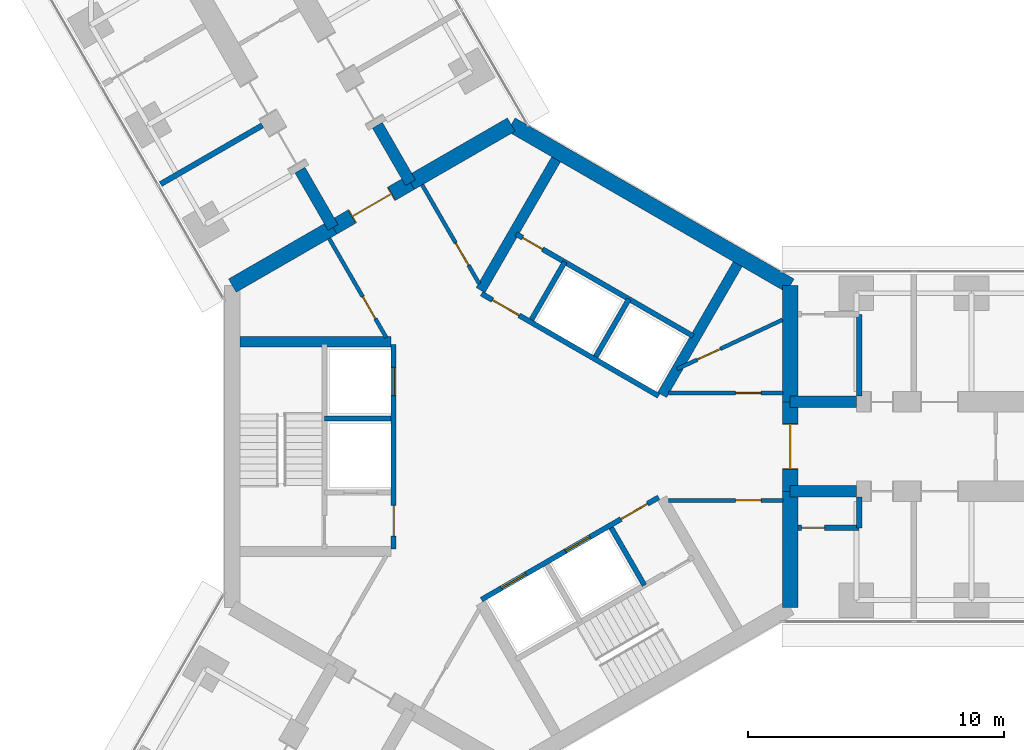
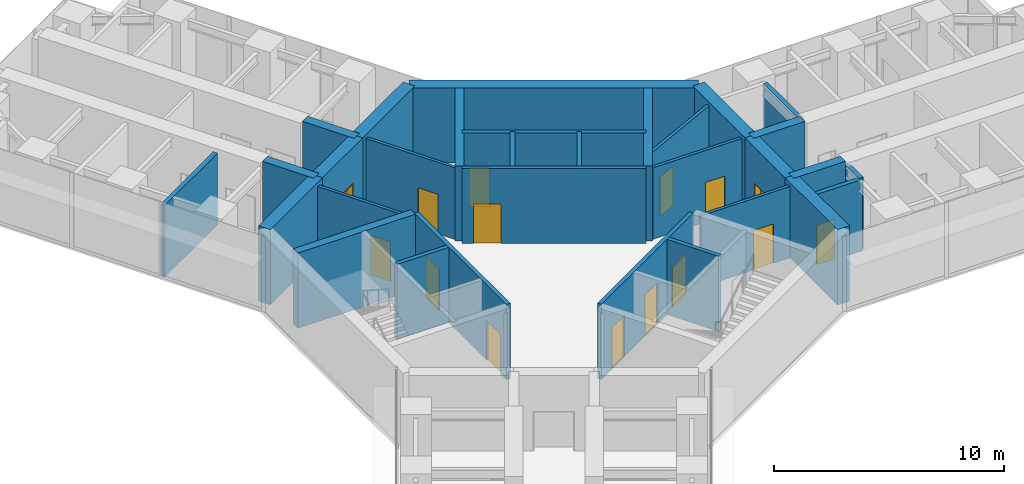
# One storey, part 16 of 21: 31 walls, 15 doors, 15 openings.
"""IFC4 building model written with IfcOpenShell, lengths in metres."""

from ifc_helpers import new_model, si_unit, direction, frame, frame_2d, origin, place, context, subcontext, project, spatial, rectangle, extrude, material, layer, layer_set, type_object, element, fill, save


model = new_model("IFC4")

# Units and contexts
model_context = context("Model", 3, precision=1e-05, world=origin(), true_north=direction((0.0, 1.0)))
body_context = subcontext(model_context, "Body", "Model", "MODEL_VIEW")
ifc_project = project(units=[si_unit("LENGTHUNIT", "METRE"), si_unit("AREAUNIT", "SQUARE_METRE"), si_unit("VOLUMEUNIT", "CUBIC_METRE"), si_unit("PLANEANGLEUNIT", "RADIAN"), si_unit("MASSUNIT", "GRAM", prefix="KILO")], contexts=[model_context])

# Site, building, storey
site_placement = place(None, origin())
site = spatial("IfcSite", under=ifc_project, at=site_placement, CompositionType="ELEMENT")
building_placement = place(site_placement, origin())
building = spatial("IfcBuilding", under=site, at=building_placement, Name="Upepo Twin Towers", CompositionType="ELEMENT")
storey_placement = place(building_placement, frame((0.0, 0.0, 113.5)))
storey = spatial("IfcBuildingStorey", under=building, at=storey_placement, Name="L27", CompositionType="ELEMENT", Elevation=113.5)

# Wall
ifc_material_1 = material(Name="Concrete blockwork, plastered both faces", Category="masonry")
ifc_layer_1 = layer(ifc_material_1, 0.215087890625)
ifc_layer_set_1 = layer_set([ifc_layer_1], Name="Blockwork partition 215")
wall_type_1 = type_object("IfcWallType", Name="Blockwork partition 215", PredefinedType="PARTITIONING", material=ifc_layer_set_1)
wall_1_placement = place(storey_placement, frame((13.60791015625, 1.97509765625, 0.0), z_axis=(0.0, 0.0, 1.0), x_axis=(0.0, 1.0, 0.0)))
element("IfcWall", 1, at=wall_1_placement, inside=storey, type_object=wall_type_1, Name="T1 WC bay partition AL end at 13.61", PredefinedType="PARTITIONING", context=body_context, shape_type="SweptSolid", body=[
    extrude(rectangle(XDim=3.199951171875, YDim=0.215087890625, at=frame_2d((1.60009765625, 0.0))), origin(), (0.0, 0.0, 1.0), 3.800048828125),
])

# Wall, opening, door
wall_2_placement = place(storey_placement, frame((11.2080078125, -3.175048828125, 0.0), z_axis=(0.0, 0.0, 1.0), x_axis=(1.0, 0.0, 0.0)))
wall_2 = element("IfcWall", 2, at=wall_2_placement, inside=storey, type_object=wall_type_1, Name="T1 WC bay partition AR at 11.21", PredefinedType="PARTITIONING", context=body_context, shape_type="SweptSolid", body=[
    extrude(rectangle(XDim=2.39990234375, YDim=0.215087890625, at=frame_2d((1.199951171875, 0.0))), origin(), (0.0, 0.0, 1.0), 3.800048828125),
])
opening_1_placement = place(wall_2_placement, frame((0.14990234375, 0.0, 0.0)))
opening_1 = element("IfcOpeningElement", 3, at=opening_1_placement, cuts=wall_2, Name="Opening D14", PredefinedType="OPENING", context=body_context, shape_type="SweptSolid", body=[
    extrude(rectangle(XDim=0.89990234375, YDim=2.10009765625, at=frame_2d((0.449951171875, 1.050048828125))), frame((0.0, 0.117431640625, 0.0), z_axis=(0.0, -1.0, 0.0), x_axis=(1.0, 0.0, 0.0)), (0.0, 0.0, 1.0), 0.235107421875),
])
ifc_material_2 = material(Name="Timber doorset", Category="wood")
door_type_1 = type_object("IfcDoorType", Name="Office door 900 FD30", OperationType="SINGLE_SWING_LEFT", PredefinedType="DOOR", material=ifc_material_2)
door_1_placement = place(opening_1_placement, origin())
door_1 = element("IfcDoor", 4, at=door_1_placement, inside=storey, type_object=door_type_1, Name="T1 L27 WC bay inner room door", OperationType="SINGLE_SWING_LEFT", OverallHeight=2.10009765625, OverallWidth=0.89990234375, PredefinedType="DOOR", context=body_context, shape_type="SweptSolid", body=[
    extrude(rectangle(XDim=0.89990234375, YDim=2.10009765625, at=frame_2d((0.449951171875, 1.050048828125))), frame((0.0, 0.02490234375, 0.0), z_axis=(0.0, -1.0, 0.0), x_axis=(1.0, 0.0, 0.0)), (0.0, 0.0, 1.0), 0.050048828125),
])
fill(opening_1, door_1)

# Walls
wall_3_placement = place(storey_placement, frame((13.60791015625, -1.97509765625, 0.0), z_axis=(0.0, 0.0, 1.0), x_axis=(0.0, -1.0, 0.0)))
element("IfcWall", 5, at=wall_3_placement, inside=storey, type_object=wall_type_1, Name="T1 WC bay partition AR end at 13.61", PredefinedType="PARTITIONING", context=body_context, shape_type="SweptSolid", body=[
    extrude(rectangle(XDim=1.199951171875, YDim=0.215087890625, at=frame_2d((0.60009765625, 0.0))), origin(), (0.0, 0.0, 1.0), 3.800048828125),
])
wall_4_placement = place(storey_placement, frame((-9.737060546875, 12.56494140625, 0.0), z_axis=(0.0, 0.0, 1.0), x_axis=(-0.866016770315, -0.500014953309, 0.0)))
element("IfcWall", 6, at=wall_4_placement, inside=storey, type_object=wall_type_1, Name="T1 partition BL at 15.75", PredefinedType="PARTITIONING", context=body_context, shape_type="SweptSolid", body=[
    extrude(rectangle(XDim=4.599853515625, YDim=0.215087890625, at=frame_2d((2.2998046875, 0.0))), origin(), (0.0, 0.0, 1.0), 3.800048828125),
])
ifc_material_3 = material(Name="Concrete C60/75", Category="concrete")
ifc_layer_2 = layer(ifc_material_3, 0.449951171875)
ifc_layer_set_2 = layer_set([ifc_layer_2], Name="Concrete C60/75")
wall_type_2 = type_object("IfcWallType", Name="Buttress wall 450 RC", PredefinedType="SHEAR", material=ifc_layer_set_2)
for number, where, z_axis, x_axis, name in (
    (7, (10.908447265625, 1.75, 0.0), (0.0, 0.0, 1.0), (1.0, 0.0, 0.0), "T1 wing A buttress wall L"),
    (8, (10.908447265625, -1.75, 0.0), (0.0, 0.0, 1.0), (1.0, 0.0, 0.0), "T1 wing A buttress wall R"),
):
    element("IfcWall", number, at=place(storey_placement, frame(where, z_axis=z_axis, x_axis=x_axis)), inside=storey, type_object=wall_type_2, Name=name, PredefinedType="SHEAR", context=body_context, shape_type="SweptSolid", body=[
        extrude(rectangle(XDim=2.591552734375, YDim=0.449951171875, at=frame_2d((1.2958984375, 0.0))), origin(), (0.0, 0.0, 1.0), 4.0),
    ])
for number, where, z_axis, x_axis, name in (
    (9, (-6.9697265625, 8.57177734375, 0.0), (0.0, 0.0, 1.0), (-0.499988811324, 0.866031863473, 0.0), "T1 wing B buttress wall L"),
    (10, (-3.938720703125, 10.32177734375, 0.0), (0.0, 0.0, 1.0), (-0.499918158782, 0.866072649678, 0.0), "T1 wing B buttress wall R"),
):
    element("IfcWall", number, at=place(storey_placement, frame(where, z_axis=z_axis, x_axis=x_axis)), inside=storey, type_object=wall_type_2, Name=name, PredefinedType="SHEAR", context=body_context, shape_type="SweptSolid", body=[
        extrude(rectangle(XDim=2.591796875, YDim=0.449951171875, at=frame_2d((1.2958984375, 0.0))), origin(), (0.0, 0.0, 1.0), 4.0),
    ])
ifc_material_4 = material(Name="Concrete C60/75", Category="concrete")
ifc_layer_3 = layer(ifc_material_4, 0.60009765625)
ifc_layer_set_3 = layer_set([ifc_layer_3], Name="Concrete C60/75")
wall_type_3 = type_object("IfcWallType", Name="Core wall 600 RC", PredefinedType="SHEAR", material=ifc_layer_set_3)
wall_5_placement = place(storey_placement, frame((10.908447265625, -6.2978515625, 0.0), z_axis=(0.0, 0.0, 1.0), x_axis=(0.0, 1.0, 0.0)))
element("IfcWall", 11, at=wall_5_placement, inside=storey, type_object=wall_type_3, Name="T1 core wall 000 R", PredefinedType="SHEAR", context=body_context, shape_type="SweptSolid", body=[
    extrude(rectangle(XDim=4.5478515625, YDim=0.60009765625, at=frame_2d((2.27392578125, 0.0))), origin(), (0.0, 0.0, 1.0), 4.0),
])

# Wall, opening, door
wall_6_placement = place(storey_placement, frame((10.908447265625, -1.75, 0.0), z_axis=(0.0, 0.0, 1.0), x_axis=(0.0, 1.0, 0.0)))
wall_6 = element("IfcWall", 12, at=wall_6_placement, inside=storey, type_object=wall_type_3, Name="T1 core wall 000", PredefinedType="SHEAR", context=body_context, shape_type="SweptSolid", body=[
    extrude(rectangle(XDim=3.5, YDim=0.60009765625, at=frame_2d((1.75, 0.0))), origin(), (0.0, 0.0, 1.0), 4.0),
])
opening_2_placement = place(wall_6_placement, frame((0.85009765625, 0.0, 0.0)))
opening_2 = element("IfcOpeningElement", 13, at=opening_2_placement, cuts=wall_6, Name="Opening D2", PredefinedType="OPENING", context=body_context, shape_type="SweptSolid", body=[
    extrude(rectangle(XDim=1.800048828125, YDim=2.10009765625, at=frame_2d((0.89990234375, 1.050048828125))), frame((0.0, 0.31005859375, 0.0), z_axis=(0.0, -1.0, 0.0), x_axis=(1.0, 0.0, 0.0)), (0.0, 0.0, 1.0), 0.6201171875),
])
ifc_material_5 = material(Name="Timber doorset", Category="wood")
door_type_2 = type_object("IfcDoorType", Name="Corridor double door 1800 FD60", OperationType="DOUBLE_DOOR_DOUBLE_SWING", PredefinedType="DOOR", material=ifc_material_5)
door_2_placement = place(opening_2_placement, origin())
door_2 = element("IfcDoor", 14, at=door_2_placement, inside=storey, type_object=door_type_2, Name="T1 L27 wing A corridor door", OperationType="DOUBLE_DOOR_DOUBLE_SWING", OverallHeight=2.10009765625, OverallWidth=1.800048828125, PredefinedType="DOOR", context=body_context, shape_type="SweptSolid", body=[
    extrude(rectangle(XDim=1.720048828125, YDim=2.06009765625, at=frame_2d((0.89990234375, 1.030029296875))), frame((0.0, 0.02490234375, 0.0), z_axis=(0.0, -1.0, 0.0), x_axis=(1.0, 0.0, 0.0)), (0.0, 0.0, 1.0), 0.050048828125),
    extrude(rectangle(XDim=0.04, YDim=2.10009765625, at=frame_2d((0.02001953125, 1.050048828125))), frame((0.0, 0.2998046875, 0.0), z_axis=(0.0, -1.0, 0.0), x_axis=(1.0, 0.0, 0.0)), (0.0, 0.0, 1.0), 0.599609375),
    extrude(rectangle(XDim=0.04, YDim=2.10009765625, at=frame_2d((1.780029296875, 1.050048828125))), frame((0.0, 0.2998046875, 0.0), z_axis=(0.0, -1.0, 0.0), x_axis=(1.0, 0.0, 0.0)), (0.0, 0.0, 1.0), 0.599609375),
    extrude(rectangle(XDim=1.720048828125, YDim=0.04, at=frame_2d((0.89990234375, 2.080078125))), frame((0.0, 0.2998046875, 0.0), z_axis=(0.0, -1.0, 0.0), x_axis=(1.0, 0.0, 0.0)), (0.0, 0.0, 1.0), 0.599609375),
])
fill(opening_2, door_2)

# Walls
wall_7_placement = place(storey_placement, frame((10.908447265625, 1.75, 0.0), z_axis=(0.0, 0.0, 1.0), x_axis=(0.0, 1.0, 0.0)))
element("IfcWall", 15, at=wall_7_placement, inside=storey, type_object=wall_type_3, Name="T1 core wall 000 L", PredefinedType="SHEAR", context=body_context, shape_type="SweptSolid", body=[
    extrude(rectangle(XDim=4.5478515625, YDim=0.60009765625, at=frame_2d((2.27392578125, 0.0))), origin(), (0.0, 0.0, 1.0), 4.0),
])
wall_8_placement = place(storey_placement, frame((10.908447265625, 6.2978515625, 0.0), z_axis=(0.0, 0.0, 1.0), x_axis=(-0.866021940709, 0.500005998175, 0.0)))
element("IfcWall", 16, at=wall_8_placement, inside=storey, type_object=wall_type_3, Name="T1 core wall 060", PredefinedType="SHEAR", context=body_context, shape_type="SweptSolid", body=[
    extrude(rectangle(XDim=12.595947265625, YDim=0.60009765625, at=frame_2d((6.2978515625, 0.0))), origin(), (0.0, 0.0, 1.0), 4.0),
])
wall_9_placement = place(storey_placement, frame((0.0, 12.595947265625, 0.0), z_axis=(0.0, 0.0, 1.0), x_axis=(-0.866011268655, -0.500024481964, 0.0)))
element("IfcWall", 17, at=wall_9_placement, inside=storey, type_object=wall_type_3, Name="T1 core wall 120 R", PredefinedType="SHEAR", context=body_context, shape_type="SweptSolid", body=[
    extrude(rectangle(XDim=4.548095703125, YDim=0.60009765625, at=frame_2d((2.27392578125, 0.0))), origin(), (0.0, 0.0, 1.0), 4.0),
])

# Wall, opening, door
wall_10_placement = place(storey_placement, frame((-3.938720703125, 10.32177734375, 0.0), z_axis=(0.0, 0.0, 1.0), x_axis=(-0.866019471182, -0.500010275428, 0.0)))
wall_10 = element("IfcWall", 18, at=wall_10_placement, inside=storey, type_object=wall_type_3, Name="T1 core wall 120", PredefinedType="SHEAR", context=body_context, shape_type="SweptSolid", body=[
    extrude(rectangle(XDim=3.5, YDim=0.60009765625, at=frame_2d((1.75, 0.0))), origin(), (0.0, 0.0, 1.0), 4.0),
])
opening_3_placement = place(wall_10_placement, frame((0.85009765625, 0.0, 0.0)))
opening_3 = element("IfcOpeningElement", 19, at=opening_3_placement, cuts=wall_10, Name="Opening D2", PredefinedType="OPENING", context=body_context, shape_type="SweptSolid", body=[
    extrude(rectangle(XDim=1.800048828125, YDim=2.10009765625, at=frame_2d((0.89990234375, 1.050048828125))), frame((0.0, 0.31005859375, 0.0), z_axis=(0.0, -1.0, 0.0), x_axis=(1.0, 0.0, 0.0)), (0.0, 0.0, 1.0), 0.6201171875),
])
door_3_placement = place(opening_3_placement, origin())
door_3 = element("IfcDoor", 20, at=door_3_placement, inside=storey, type_object=door_type_2, Name="T1 L27 wing B corridor door", OperationType="DOUBLE_DOOR_DOUBLE_SWING", OverallHeight=2.10009765625, OverallWidth=1.800048828125, PredefinedType="DOOR", context=body_context, shape_type="SweptSolid", body=[
    extrude(rectangle(XDim=1.720048828125, YDim=2.06009765625, at=frame_2d((0.89990234375, 1.030029296875))), frame((0.0, 0.02490234375, 0.0), z_axis=(0.0, -1.0, 0.0), x_axis=(1.0, 0.0, 0.0)), (0.0, 0.0, 1.0), 0.050048828125),
    extrude(rectangle(XDim=0.04, YDim=2.10009765625, at=frame_2d((0.02001953125, 1.050048828125))), frame((0.0, 0.2998046875, 0.0), z_axis=(0.0, -1.0, 0.0), x_axis=(1.0, 0.0, 0.0)), (0.0, 0.0, 1.0), 0.599609375),
    extrude(rectangle(XDim=0.04, YDim=2.10009765625, at=frame_2d((1.780029296875, 1.050048828125))), frame((0.0, 0.2998046875, 0.0), z_axis=(0.0, -1.0, 0.0), x_axis=(1.0, 0.0, 0.0)), (0.0, 0.0, 1.0), 0.599609375),
    extrude(rectangle(XDim=1.720048828125, YDim=0.04, at=frame_2d((0.89990234375, 2.080078125))), frame((0.0, 0.2998046875, 0.0), z_axis=(0.0, -1.0, 0.0), x_axis=(1.0, 0.0, 0.0)), (0.0, 0.0, 1.0), 0.599609375),
])
fill(opening_3, door_3)

# Wall
wall_11_placement = place(storey_placement, frame((-6.9697265625, 8.57177734375, 0.0), z_axis=(0.0, 0.0, 1.0), x_axis=(-0.866034513004, -0.499984222037, 0.0)))
element("IfcWall", 21, at=wall_11_placement, inside=storey, type_object=wall_type_3, Name="T1 core wall 120 L", PredefinedType="SHEAR", context=body_context, shape_type="SweptSolid", body=[
    extrude(rectangle(XDim=4.548095703125, YDim=0.60009765625, at=frame_2d((2.27392578125, 0.0))), origin(), (0.0, 0.0, 1.0), 4.0),
])

# Wall, opening, door
ifc_material_6 = material(Name="Concrete C40/50", Category="concrete")
ifc_layer_4 = layer(ifc_material_6, 0.199951171875)
ifc_layer_set_4 = layer_set([ifc_layer_4], Name="Concrete C40/50")
wall_type_4 = type_object("IfcWallType", Name="Shaft wall 200 RC", PredefinedType="SHEAR", material=ifc_layer_set_4)
wall_12_placement = place(storey_placement, frame((5.76416015625, 1.983642578125, 0.0), z_axis=(0.0, 0.0, 1.0), x_axis=(-0.866026010844, 0.49999894854, 0.0)))
wall_12 = element("IfcWall", 22, at=wall_12_placement, inside=storey, type_object=wall_type_4, Name="T1 core W60 front wall", PredefinedType="SHEAR", context=body_context, shape_type="SweptSolid", body=[
    extrude(rectangle(XDim=8.0, YDim=0.199951171875, at=frame_2d((4.0, 0.0))), origin(), (0.0, 0.0, 1.0), 4.0),
])
opening_4_placement = place(wall_12_placement, frame((6.300048828125, 0.0, 0.0)))
opening_4 = element("IfcOpeningElement", 23, at=opening_4_placement, cuts=wall_12, Name="Opening D4", PredefinedType="OPENING", context=body_context, shape_type="SweptSolid", body=[
    extrude(rectangle(XDim=1.199951171875, YDim=2.10009765625, at=frame_2d((0.60009765625, 1.050048828125))), frame((0.0, 0.10986328125, 0.0), z_axis=(0.0, -1.0, 0.0), x_axis=(1.0, 0.0, 0.0)), (0.0, 0.0, 1.0), 0.219970703125),
])
ifc_material_7 = material(Name="Timber doorset", Category="wood")
door_type_3 = type_object("IfcDoorType", Name="Lobby door 1200 FD60", OperationType="SINGLE_SWING_LEFT", PredefinedType="DOOR", material=ifc_material_7)
door_4_placement = place(opening_4_placement, origin())
door_4 = element("IfcDoor", 24, at=door_4_placement, inside=storey, type_object=door_type_3, Name="T1 L27 W60 lobby door", OperationType="SINGLE_SWING_RIGHT", OverallHeight=2.10009765625, OverallWidth=1.199951171875, PredefinedType="DOOR", context=body_context, shape_type="SweptSolid", body=[
    extrude(rectangle(XDim=1.199951171875, YDim=2.10009765625, at=frame_2d((0.60009765625, 1.050048828125))), frame((0.0, 0.02490234375, 0.0), z_axis=(0.0, -1.0, 0.0), x_axis=(1.0, 0.0, 0.0)), (0.0, 0.0, 1.0), 0.050048828125),
])
fill(opening_4, door_4)

# Walls
for number, where, z_axis, x_axis, name in (
    (25, (3.302734375, 3.520263671875, 0.0), (0.0, 0.0, 1.0), (0.499936506574, 0.866062058628, 0.0), "T1 core W60 shaft divider"),
    (26, (0.791259765625, 4.97021484375, 0.0), (0.0, 0.0, 1.0), (0.499936506574, 0.866062058628, 0.0), "T1 core W60 lobby wall"),
):
    element("IfcWall", number, at=place(storey_placement, frame(where, z_axis=z_axis, x_axis=x_axis)), inside=storey, type_object=wall_type_4, Name=name, PredefinedType="SHEAR", context=body_context, shape_type="SweptSolid", body=[
        extrude(rectangle(XDim=2.599853515625, YDim=0.199951171875, at=frame_2d((1.2998046875, 0.0))), origin(), (0.0, 0.0, 1.0), 4.0),
    ])

# Wall, opening, door
wall_13_placement = place(storey_placement, frame((7.114013671875, 4.322021484375, 0.0), z_axis=(0.0, 0.0, 1.0), x_axis=(-0.866026010844, 0.49999894854, 0.0)))
wall_13 = element("IfcWall", 27, at=wall_13_placement, inside=storey, type_object=wall_type_4, Name="T1 core W60 stair wall", PredefinedType="SHEAR", context=body_context, shape_type="SweptSolid", body=[
    extrude(rectangle(XDim=8.0, YDim=0.199951171875, at=frame_2d((4.0, 0.0))), origin(), (0.0, 0.0, 1.0), 4.0),
])
opening_5_placement = place(wall_13_placement, frame((6.800048828125, 0.0, 0.0)))
opening_5 = element("IfcOpeningElement", 28, at=opening_5_placement, cuts=wall_13, Name="Opening D9", PredefinedType="OPENING", context=body_context, shape_type="SweptSolid", body=[
    extrude(rectangle(XDim=0.89990234375, YDim=2.10009765625, at=frame_2d((0.449951171875, 1.050048828125))), frame((0.0, 0.10986328125, 0.0), z_axis=(0.0, -1.0, 0.0), x_axis=(1.0, 0.0, 0.0)), (0.0, 0.0, 1.0), 0.219970703125),
])
ifc_material_8 = material(Name="Timber doorset", Category="wood")
door_type_4 = type_object("IfcDoorType", Name="Riser door 900 FD60", OperationType="SINGLE_SWING_LEFT", PredefinedType="DOOR", material=ifc_material_8)
door_5_placement = place(opening_5_placement, origin())
door_5 = element("IfcDoor", 29, at=door_5_placement, inside=storey, type_object=door_type_4, Name="T1 L27 riser door", OperationType="SINGLE_SWING_RIGHT", OverallHeight=2.10009765625, OverallWidth=0.89990234375, PredefinedType="DOOR", context=body_context, shape_type="SweptSolid", body=[
    extrude(rectangle(XDim=0.89990234375, YDim=2.10009765625, at=frame_2d((0.449951171875, 1.050048828125))), frame((0.0, 0.02490234375, 0.0), z_axis=(0.0, -1.0, 0.0), x_axis=(1.0, 0.0, 0.0)), (0.0, 0.0, 1.0), 0.050048828125),
])
fill(opening_5, door_5)

# Wall, openings, doors
wall_14_placement = place(storey_placement, frame((-4.60009765625, 4.0, 0.0), z_axis=(0.0, 0.0, 1.0), x_axis=(0.0, -1.0, 0.0)))
wall_14 = element("IfcWall", 30, at=wall_14_placement, inside=storey, type_object=wall_type_4, Name="T1 core W180 front wall", PredefinedType="SHEAR", context=body_context, shape_type="SweptSolid", body=[
    extrude(rectangle(XDim=8.0, YDim=0.199951171875, at=frame_2d((4.0, 0.0))), origin(), (0.0, 0.0, 1.0), 4.0),
])
opening_6_placement = place(wall_14_placement, frame((6.300048828125, 0.0, 0.0)))
opening_6 = element("IfcOpeningElement", 31, at=opening_6_placement, cuts=wall_14, Name="Opening D4", PredefinedType="OPENING", context=body_context, shape_type="SweptSolid", body=[
    extrude(rectangle(XDim=1.199951171875, YDim=2.10009765625, at=frame_2d((0.60009765625, 1.050048828125))), frame((0.0, 0.10986328125, 0.0), z_axis=(0.0, -1.0, 0.0), x_axis=(1.0, 0.0, 0.0)), (0.0, 0.0, 1.0), 0.219970703125),
])
opening_7_placement = place(wall_14_placement, frame((0.89990234375, 0.0, 0.0)))
opening_7 = element("IfcOpeningElement", 32, at=opening_7_placement, cuts=wall_14, Name="Opening LD1", PredefinedType="OPENING", context=body_context, shape_type="SweptSolid", body=[
    extrude(rectangle(XDim=1.10009765625, YDim=2.199951171875, at=frame_2d((0.550048828125, 1.10009765625))), frame((0.0, 0.10986328125, 0.0), z_axis=(0.0, -1.0, 0.0), x_axis=(1.0, 0.0, 0.0)), (0.0, 0.0, 1.0), 0.219970703125),
])
ifc_material_9 = material(Name="Steel doorset", Category="steel")
door_type_5 = type_object("IfcDoorType", Name="Lift landing door 1100", OperationType="DOUBLE_DOOR_SLIDING", PredefinedType="DOOR", material=ifc_material_9)
door_6_placement = place(opening_7_placement, origin())
door_6 = element("IfcDoor", 33, at=door_6_placement, inside=storey, type_object=door_type_5, Name="T1 L27 lift SV1 landing door", OperationType="DOUBLE_DOOR_SLIDING", OverallHeight=2.199951171875, OverallWidth=1.10009765625, PredefinedType="DOOR", context=body_context, shape_type="SweptSolid", body=[
    extrude(rectangle(XDim=1.10009765625, YDim=2.199951171875, at=frame_2d((0.550048828125, 1.10009765625))), frame((0.0, 0.02490234375, 0.0), z_axis=(0.0, -1.0, 0.0), x_axis=(1.0, 0.0, 0.0)), (0.0, 0.0, 1.0), 0.050048828125),
])
fill(opening_7, door_6)
door_7_placement = place(opening_6_placement, origin())
door_7 = element("IfcDoor", 34, at=door_7_placement, inside=storey, type_object=door_type_3, Name="T1 L27 W180 lobby door", OperationType="SINGLE_SWING_RIGHT", OverallHeight=2.10009765625, OverallWidth=1.199951171875, PredefinedType="DOOR", context=body_context, shape_type="SweptSolid", body=[
    extrude(rectangle(XDim=1.199951171875, YDim=2.10009765625, at=frame_2d((0.60009765625, 1.050048828125))), frame((0.0, 0.02490234375, 0.0), z_axis=(0.0, -1.0, 0.0), x_axis=(1.0, 0.0, 0.0)), (0.0, 0.0, 1.0), 0.050048828125),
])
fill(opening_6, door_7)

# Wall
wall_15_placement = place(storey_placement, frame((-4.699951171875, 1.10009765625, 0.0), z_axis=(0.0, 0.0, 1.0), x_axis=(-1.0, 0.0, 0.0)))
element("IfcWall", 35, at=wall_15_placement, inside=storey, type_object=wall_type_4, Name="T1 core W180 shaft divider", PredefinedType="SHEAR", context=body_context, shape_type="SweptSolid", body=[
    extrude(rectangle(XDim=2.60009765625, YDim=0.199951171875, at=frame_2d((1.300048828125, 0.0))), origin(), (0.0, 0.0, 1.0), 4.0),
])

# Wall, openings, doors
wall_16_placement = place(storey_placement, frame((-1.1640625, -5.983642578125, 0.0), z_axis=(0.0, 0.0, 1.0), x_axis=(0.866026010844, 0.49999894854, 0.0)))
wall_16 = element("IfcWall", 36, at=wall_16_placement, inside=storey, type_object=wall_type_4, Name="T1 core W300 front wall", PredefinedType="SHEAR", context=body_context, shape_type="SweptSolid", body=[
    extrude(rectangle(XDim=8.0, YDim=0.199951171875, at=frame_2d((4.0, 0.0))), origin(), (0.0, 0.0, 1.0), 4.0),
])
opening_8_placement = place(wall_16_placement, frame((6.300048828125, 0.0, 0.0)))
opening_8 = element("IfcOpeningElement", 37, at=opening_8_placement, cuts=wall_16, Name="Opening D4", PredefinedType="OPENING", context=body_context, shape_type="SweptSolid", body=[
    extrude(rectangle(XDim=1.199951171875, YDim=2.10009765625, at=frame_2d((0.60009765625, 1.050048828125))), frame((0.0, 0.10986328125, 0.0), z_axis=(0.0, -1.0, 0.0), x_axis=(1.0, 0.0, 0.0)), (0.0, 0.0, 1.0), 0.219970703125),
])
opening_9_placement = place(wall_16_placement, frame((0.89990234375, 0.0, 0.0)))
opening_9 = element("IfcOpeningElement", 38, at=opening_9_placement, cuts=wall_16, Name="Opening LD1", PredefinedType="OPENING", context=body_context, shape_type="SweptSolid", body=[
    extrude(rectangle(XDim=1.10009765625, YDim=2.199951171875, at=frame_2d((0.550048828125, 1.10009765625))), frame((0.0, 0.10986328125, 0.0), z_axis=(0.0, -1.0, 0.0), x_axis=(1.0, 0.0, 0.0)), (0.0, 0.0, 1.0), 0.219970703125),
])
opening_10_placement = place(wall_16_placement, frame((3.800048828125, 0.0, 0.0)))
opening_10 = element("IfcOpeningElement", 39, at=opening_10_placement, cuts=wall_16, Name="Opening LD1", PredefinedType="OPENING", context=body_context, shape_type="SweptSolid", body=[
    extrude(rectangle(XDim=1.10009765625, YDim=2.199951171875, at=frame_2d((0.550048828125, 1.10009765625))), frame((0.0, 0.10986328125, 0.0), z_axis=(0.0, -1.0, 0.0), x_axis=(1.0, 0.0, 0.0)), (0.0, 0.0, 1.0), 0.219970703125),
])
door_8_placement = place(opening_9_placement, origin())
door_8 = element("IfcDoor", 40, at=door_8_placement, inside=storey, type_object=door_type_5, Name="T1 L27 lift ML1 landing door", OperationType="DOUBLE_DOOR_SLIDING", OverallHeight=2.199951171875, OverallWidth=1.10009765625, PredefinedType="DOOR", context=body_context, shape_type="SweptSolid", body=[
    extrude(rectangle(XDim=1.10009765625, YDim=2.199951171875, at=frame_2d((0.550048828125, 1.10009765625))), frame((0.0, 0.02490234375, 0.0), z_axis=(0.0, -1.0, 0.0), x_axis=(1.0, 0.0, 0.0)), (0.0, 0.0, 1.0), 0.050048828125),
])
fill(opening_9, door_8)
door_9_placement = place(opening_10_placement, origin())
door_9 = element("IfcDoor", 41, at=door_9_placement, inside=storey, type_object=door_type_5, Name="T1 L27 lift ML2 landing door", OperationType="DOUBLE_DOOR_SLIDING", OverallHeight=2.199951171875, OverallWidth=1.10009765625, PredefinedType="DOOR", context=body_context, shape_type="SweptSolid", body=[
    extrude(rectangle(XDim=1.10009765625, YDim=2.199951171875, at=frame_2d((0.550048828125, 1.10009765625))), frame((0.0, 0.02490234375, 0.0), z_axis=(0.0, -1.0, 0.0), x_axis=(1.0, 0.0, 0.0)), (0.0, 0.0, 1.0), 0.050048828125),
])
fill(opening_10, door_9)
door_10_placement = place(opening_8_placement, origin())
door_10 = element("IfcDoor", 42, at=door_10_placement, inside=storey, type_object=door_type_3, Name="T1 L27 W300 lobby door", OperationType="SINGLE_SWING_RIGHT", OverallHeight=2.10009765625, OverallWidth=1.199951171875, PredefinedType="DOOR", context=body_context, shape_type="SweptSolid", body=[
    extrude(rectangle(XDim=1.199951171875, YDim=2.10009765625, at=frame_2d((0.60009765625, 1.050048828125))), frame((0.0, 0.02490234375, 0.0), z_axis=(0.0, -1.0, 0.0), x_axis=(1.0, 0.0, 0.0)), (0.0, 0.0, 1.0), 0.050048828125),
])
fill(opening_8, door_10)

# Walls
wall_17_placement = place(storey_placement, frame((3.908935546875, -3.17041015625, 0.0), z_axis=(0.0, 0.0, 1.0), x_axis=(0.49997716683, -0.86603858612, 0.0)))
element("IfcWall", 43, at=wall_17_placement, inside=storey, type_object=wall_type_4, Name="T1 core W300 lobby wall", PredefinedType="SHEAR", context=body_context, shape_type="SweptSolid", body=[
    extrude(rectangle(XDim=2.599609375, YDim=0.199951171875, at=frame_2d((1.2998046875, 0.0))), origin(), (0.0, 0.0, 1.0), 4.0),
])
ifc_material_10 = material(Name="Concrete C40/50", Category="concrete")
ifc_layer_5 = layer(ifc_material_10, 0.39990234375)
ifc_layer_set_5 = layer_set([ifc_layer_5], Name="Concrete C40/50")
wall_type_5 = type_object("IfcWallType", Name="Shaft wall 400 RC", PredefinedType="SHEAR", material=ifc_layer_set_5)
wall_18_placement = place(storey_placement, frame((-1.20068359375, 6.120361328125, 0.0), z_axis=(0.0, 0.0, 1.0), x_axis=(0.49999668571, 0.866027317282, 0.0)))
element("IfcWall", 44, at=wall_18_placement, inside=storey, type_object=wall_type_5, Name="T1 core W60 side wall N", PredefinedType="SHEAR", context=body_context, shape_type="SweptSolid", body=[
    extrude(rectangle(XDim=5.908203125, YDim=0.39990234375, at=frame_2d((2.9541015625, 0.0))), origin(), (0.0, 0.0, 1.0), 4.0),
])
for number, where, z_axis, x_axis, name in (
    (45, (5.900634765625, 2.020263671875, 0.0), (0.0, 0.0, 1.0), (0.500027676417, 0.866009424208, 0.0), "T1 core W60 side wall S"),
    (46, (-4.699951171875, 4.10009765625, 0.0), (0.0, 0.0, 1.0), (-1.0, 0.0, 0.0), "T1 core W180 side wall S"),
):
    element("IfcWall", number, at=place(storey_placement, frame(where, z_axis=z_axis, x_axis=x_axis)), inside=storey, type_object=wall_type_5, Name=name, PredefinedType="SHEAR", context=body_context, shape_type="SweptSolid", body=[
        extrude(rectangle(XDim=5.908447265625, YDim=0.39990234375, at=frame_2d((2.9541015625, 0.0))), origin(), (0.0, 0.0, 1.0), 4.0),
    ])

# Wall, opening, door
ifc_material_11 = material(Name="Gypsum board on steel studs", Category="steel")
ifc_layer_6 = layer(ifc_material_11, 0.14990234375)
ifc_layer_set_6 = layer_set([ifc_layer_6], Name="Teaching partition 150 acoustic")
wall_type_6 = type_object("IfcWallType", Name="Teaching partition 150 acoustic", PredefinedType="PARTITIONING", material=ifc_layer_set_6)
wall_19_placement = place(storey_placement, frame((-4.889892578125, 4.269775390625, 0.0), z_axis=(0.0, 0.0, 1.0), x_axis=(-0.499999473313, 0.866025707867, 0.0)))
wall_19 = element("IfcWall", 47, at=wall_19_placement, inside=storey, type_object=wall_type_6, Name="T1 core room partition 3", PredefinedType="PARTITIONING", context=body_context, shape_type="SweptSolid", body=[
    extrude(rectangle(XDim=4.4755859375, YDim=0.14990234375, at=frame_2d((2.23779296875, 0.0))), origin(), (0.0, 0.0, 1.0), 3.800048828125),
])
opening_11_placement = place(wall_19_placement, frame((0.8427734375, 0.0, 0.0)))
opening_11 = element("IfcOpeningElement", 48, at=opening_11_placement, cuts=wall_19, Name="Opening D1", PredefinedType="OPENING", context=body_context, shape_type="SweptSolid", body=[
    extrude(rectangle(XDim=1.0, YDim=2.10009765625, at=frame_2d((0.5, 1.050048828125))), frame((0.0, 0.0849609375, 0.0), z_axis=(0.0, -1.0, 0.0), x_axis=(1.0, 0.0, 0.0)), (0.0, 0.0, 1.0), 0.169921875),
])
ifc_material_12 = material(Name="Timber doorset", Category="wood")
door_type_6 = type_object("IfcDoorType", Name="Room door 1000 FD30", OperationType="SINGLE_SWING_LEFT", PredefinedType="DOOR", material=ifc_material_12)
door_11_placement = place(opening_11_placement, origin())
door_11 = element("IfcDoor", 49, at=door_11_placement, inside=storey, type_object=door_type_6, Name="T1 L27 core room door K7", OperationType="SINGLE_SWING_LEFT", OverallHeight=2.10009765625, OverallWidth=1.0, PredefinedType="DOOR", context=body_context, shape_type="SweptSolid", body=[
    extrude(rectangle(XDim=1.0, YDim=2.10009765625, at=frame_2d((0.5, 1.050048828125))), frame((0.0, 0.02490234375, 0.0), z_axis=(0.0, -1.0, 0.0), x_axis=(1.0, 0.0, 0.0)), (0.0, 0.0, 1.0), 0.050048828125),
])
fill(opening_11, door_11)

wall_20_placement = place(storey_placement, frame((-3.490478515625, 10.24560546875, 0.0), z_axis=(0.0, 0.0, 1.0), x_axis=(0.499999473313, -0.866025707867, 0.0)))
wall_20 = element("IfcWall", 50, at=wall_20_placement, inside=storey, type_object=wall_type_6, Name="T1 core room partition 4", PredefinedType="PARTITIONING", context=body_context, shape_type="SweptSolid", body=[
    extrude(rectangle(XDim=4.4755859375, YDim=0.14990234375, at=frame_2d((2.23779296875, 0.0))), origin(), (0.0, 0.0, 1.0), 3.800048828125),
])
opening_12_placement = place(wall_20_placement, frame((2.633056640625, 0.0, 0.0)))
opening_12 = element("IfcOpeningElement", 51, at=opening_12_placement, cuts=wall_20, Name="Opening D1", PredefinedType="OPENING", context=body_context, shape_type="SweptSolid", body=[
    extrude(rectangle(XDim=1.0, YDim=2.10009765625, at=frame_2d((0.5, 1.050048828125))), frame((0.0, 0.0849609375, 0.0), z_axis=(0.0, -1.0, 0.0), x_axis=(1.0, 0.0, 0.0)), (0.0, 0.0, 1.0), 0.169921875),
])
door_12_placement = place(opening_12_placement, origin())
door_12 = element("IfcDoor", 52, at=door_12_placement, inside=storey, type_object=door_type_6, Name="T1 L27 core room door K6", OperationType="SINGLE_SWING_RIGHT", OverallHeight=2.10009765625, OverallWidth=1.0, PredefinedType="DOOR", context=body_context, shape_type="SweptSolid", body=[
    extrude(rectangle(XDim=1.0, YDim=2.10009765625, at=frame_2d((0.5, 1.050048828125))), frame((0.0, 0.02490234375, 0.0), z_axis=(0.0, -1.0, 0.0), x_axis=(1.0, 0.0, 0.0)), (0.0, 0.0, 1.0), 0.050048828125),
])
fill(opening_12, door_12)

wall_21_placement = place(storey_placement, frame((6.142578125, 2.10009765625, 0.0), z_axis=(0.0, 0.0, 1.0), x_axis=(1.0, 0.0, 0.0)))
wall_21 = element("IfcWall", 53, at=wall_21_placement, inside=storey, type_object=wall_type_6, Name="T1 core room partition 5", PredefinedType="PARTITIONING", context=body_context, shape_type="SweptSolid", body=[
    extrude(rectangle(XDim=4.475830078125, YDim=0.14990234375, at=frame_2d((2.23779296875, 0.0))), origin(), (0.0, 0.0, 1.0), 3.800048828125),
])
opening_13_placement = place(wall_21_placement, frame((2.6328125, 0.0, 0.0)))
opening_13 = element("IfcOpeningElement", 54, at=opening_13_placement, cuts=wall_21, Name="Opening D1", PredefinedType="OPENING", context=body_context, shape_type="SweptSolid", body=[
    extrude(rectangle(XDim=1.0, YDim=2.10009765625, at=frame_2d((0.5, 1.050048828125))), frame((0.0, 0.0849609375, 0.0), z_axis=(0.0, -1.0, 0.0), x_axis=(1.0, 0.0, 0.0)), (0.0, 0.0, 1.0), 0.169921875),
])
door_13_placement = place(opening_13_placement, origin())
door_13 = element("IfcDoor", 55, at=door_13_placement, inside=storey, type_object=door_type_6, Name="T1 L27 core room door K4", OperationType="SINGLE_SWING_RIGHT", OverallHeight=2.10009765625, OverallWidth=1.0, PredefinedType="DOOR", context=body_context, shape_type="SweptSolid", body=[
    extrude(rectangle(XDim=1.0, YDim=2.10009765625, at=frame_2d((0.5, 1.050048828125))), frame((0.0, 0.02490234375, 0.0), z_axis=(0.0, -1.0, 0.0), x_axis=(1.0, 0.0, 0.0)), (0.0, 0.0, 1.0), 0.050048828125),
])
fill(opening_13, door_13)

wall_22_placement = place(storey_placement, frame((10.618408203125, -2.10009765625, 0.0), z_axis=(0.0, 0.0, 1.0), x_axis=(-1.0, 0.0, 0.0)))
wall_22 = element("IfcWall", 56, at=wall_22_placement, inside=storey, type_object=wall_type_6, Name="T1 core room partition 6", PredefinedType="PARTITIONING", context=body_context, shape_type="SweptSolid", body=[
    extrude(rectangle(XDim=4.475830078125, YDim=0.14990234375, at=frame_2d((2.23779296875, 0.0))), origin(), (0.0, 0.0, 1.0), 3.800048828125),
])
opening_14_placement = place(wall_22_placement, frame((0.8427734375, 0.0, 0.0)))
opening_14 = element("IfcOpeningElement", 57, at=opening_14_placement, cuts=wall_22, Name="Opening D1", PredefinedType="OPENING", context=body_context, shape_type="SweptSolid", body=[
    extrude(rectangle(XDim=1.0, YDim=2.10009765625, at=frame_2d((0.5, 1.050048828125))), frame((0.0, 0.0849609375, 0.0), z_axis=(0.0, -1.0, 0.0), x_axis=(1.0, 0.0, 0.0)), (0.0, 0.0, 1.0), 0.169921875),
])
door_14_placement = place(opening_14_placement, origin())
door_14 = element("IfcDoor", 58, at=door_14_placement, inside=storey, type_object=door_type_6, Name="T1 L27 core room door K3", OperationType="SINGLE_SWING_LEFT", OverallHeight=2.10009765625, OverallWidth=1.0, PredefinedType="DOOR", context=body_context, shape_type="SweptSolid", body=[
    extrude(rectangle(XDim=1.0, YDim=2.10009765625, at=frame_2d((0.5, 1.050048828125))), frame((0.0, 0.02490234375, 0.0), z_axis=(0.0, -1.0, 0.0), x_axis=(1.0, 0.0, 0.0)), (0.0, 0.0, 1.0), 0.050048828125),
])
fill(opening_14, door_14)

wall_23_placement = place(storey_placement, frame((6.4853515625, 3.032958984375, 0.0), z_axis=(0.0, 0.0, 1.0), x_axis=(0.905834774787, 0.423631161255, 0.0)))
wall_23 = element("IfcWall", 59, at=wall_23_placement, inside=storey, type_object=wall_type_6, Name="T1 core room partition 7", PredefinedType="PARTITIONING", context=body_context, shape_type="SweptSolid", body=[
    extrude(rectangle(XDim=4.5517578125, YDim=0.14990234375, at=frame_2d((2.27587890625, 0.0))), origin(), (0.0, 0.0, 1.0), 3.800048828125),
])
opening_15_placement = place(wall_23_placement, frame((0.865478515625, 0.0, 0.0)))
opening_15 = element("IfcOpeningElement", 60, at=opening_15_placement, cuts=wall_23, Name="Opening D1", PredefinedType="OPENING", context=body_context, shape_type="SweptSolid", body=[
    extrude(rectangle(XDim=1.0, YDim=2.10009765625, at=frame_2d((0.5, 1.050048828125))), frame((0.0, 0.0849609375, 0.0), z_axis=(0.0, -1.0, 0.0), x_axis=(1.0, 0.0, 0.0)), (0.0, 0.0, 1.0), 0.169921875),
])
door_15_placement = place(opening_15_placement, origin())
door_15 = element("IfcDoor", 61, at=door_15_placement, inside=storey, type_object=door_type_6, Name="T1 L27 core room door K5", OperationType="SINGLE_SWING_LEFT", OverallHeight=2.10009765625, OverallWidth=1.0, PredefinedType="DOOR", context=body_context, shape_type="SweptSolid", body=[
    extrude(rectangle(XDim=1.0, YDim=2.10009765625, at=frame_2d((0.5, 1.050048828125))), frame((0.0, 0.02490234375, 0.0), z_axis=(0.0, -1.0, 0.0), x_axis=(1.0, 0.0, 0.0)), (0.0, 0.0, 1.0), 0.050048828125),
])
fill(opening_15, door_15)

save(model, "model.ifc")
